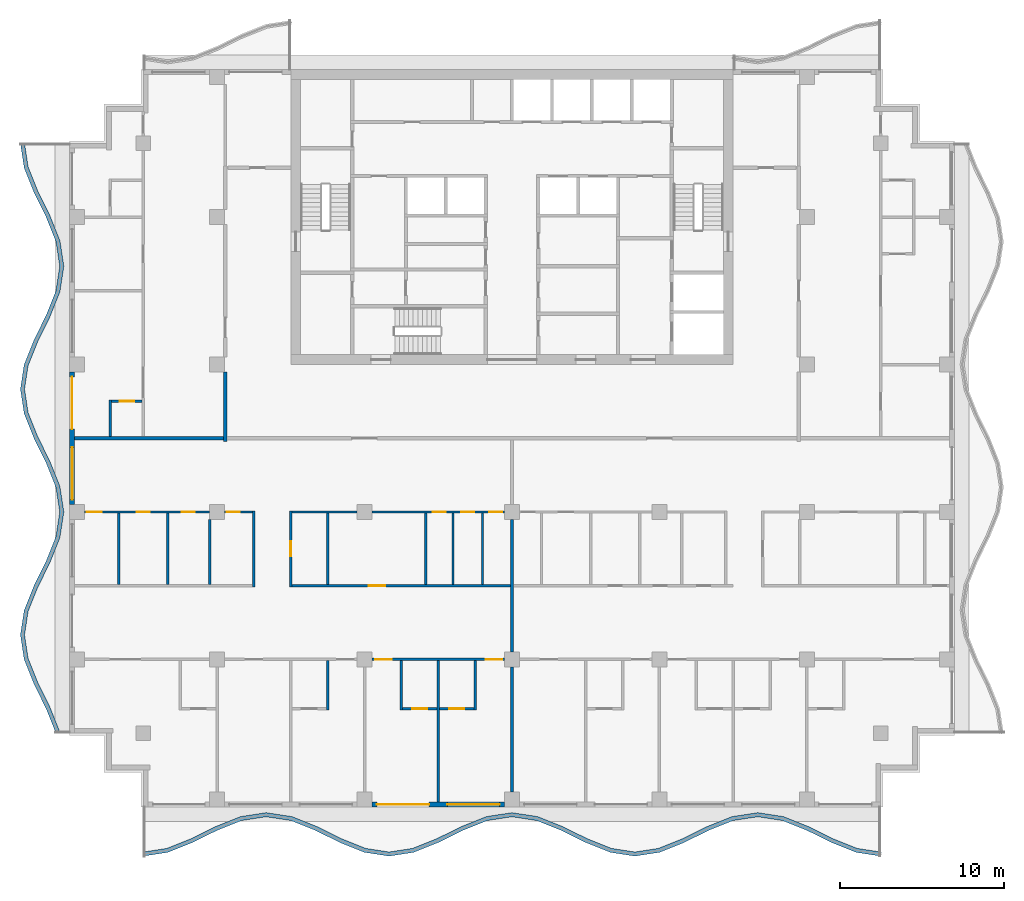
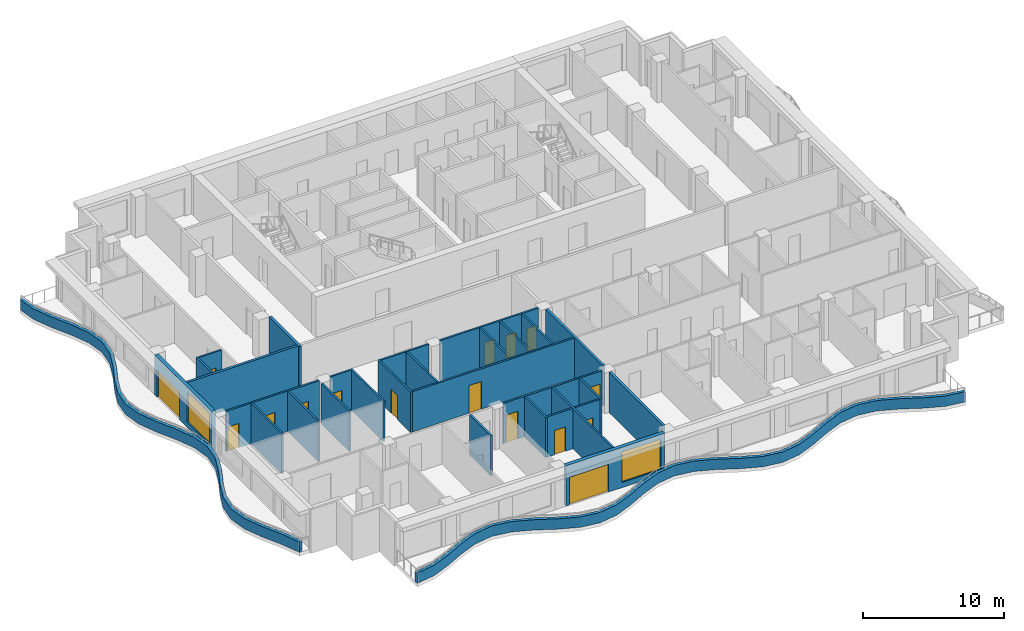
# One storey, part 2 of 11: 31 walls, 16 doors, 2 windows, 18 openings.
"""IFC4 building model written with IfcOpenShell, lengths in metres."""

from ifc_helpers import new_model, si_unit, direction, frame, frame_2d, origin, place, context, subcontext, project, spatial, polyline, rectangle, outline, extrude, material, layer, layer_set, type_object, element, fill, save


model = new_model("IFC4")

# Units and contexts
model_context = context("Model", 3, precision=1e-05, world=origin(), true_north=direction((0.0, 1.0)))
body_context = subcontext(model_context, "Body", "Model", "MODEL_VIEW")
ifc_project = project(units=[si_unit("LENGTHUNIT", "METRE"), si_unit("AREAUNIT", "SQUARE_METRE"), si_unit("VOLUMEUNIT", "CUBIC_METRE"), si_unit("PLANEANGLEUNIT", "RADIAN"), si_unit("MASSUNIT", "GRAM", prefix="KILO")], contexts=[model_context])

# Site, building, storey
site_placement = place(None, origin())
site = spatial("IfcSite", under=ifc_project, at=site_placement, CompositionType="ELEMENT")
building_placement = place(site_placement, origin())
building = spatial("IfcBuilding", under=site, at=building_placement, Name="Orbiselva Terraces", CompositionType="ELEMENT")
storey_placement = place(building_placement, frame((0.0, 0.0, 280.6)))
storey = spatial("IfcBuildingStorey", under=building, at=storey_placement, Name="L71", CompositionType="ELEMENT", Elevation=280.6)

# Walls
ifc_material_1 = material(Name="Concrete C40/50", Category="concrete")
ifc_layer_1 = layer(ifc_material_1, 0.25)
ifc_layer_set_1 = layer_set([ifc_layer_1], Name="Concrete C40/50")
wall_type_1 = type_object("IfcWallType", Name="ENV-PLANTER-250x900", PredefinedType="USERDEFINED", material=ifc_layer_set_1)
wall_1_placement = place(storey_placement, origin())
element("IfcWall", 1, at=wall_1_placement, inside=storey, type_object=wall_type_1, Name="Balcony planter L71 S", ObjectType="PLANTER", PredefinedType="USERDEFINED", context=body_context, shape_type="SweptSolid", body=[
    extrude(outline(polyline([(-22.5, -25.5), (-21.0, -25.27082), (-19.5, -24.67082), (-18.0, -23.92918), (-16.5, -23.32918), (-15.0, -23.1), (-13.5, -23.32918), (-12.0, -23.92918), (-10.5, -24.67082), (-9.0, -25.27082), (-7.5, -25.5), (-6.0, -25.27082), (-4.5, -24.67082), (-3.0, -23.92918), (-1.5, -23.32918), (0.0, -23.1), (1.5, -23.32918), (3.0, -23.92918), (4.5, -24.67082), (6.0, -25.27082), (7.5, -25.5), (9.0, -25.27082), (10.5, -24.67082), (12.0, -23.92918), (13.5, -23.32918), (15.0, -23.1), (16.5, -23.32918), (18.0, -23.92918), (19.5, -24.67082), (21.0, -25.27082), (22.5, -25.5), (22.537758, -25.252868), (21.066166, -25.028028), (19.601983, -24.442355), (18.101983, -23.700715), (16.566166, -23.086388), (15.0, -22.847099), (13.433834, -23.086388), (11.898017, -23.700715), (10.398017, -24.442355), (8.933834, -25.028028), (7.5, -25.247099), (6.066166, -25.028028), (4.601983, -24.442355), (3.101983, -23.700715), (1.566166, -23.086388), (0.0, -22.847099), (-1.566166, -23.086388), (-3.101983, -23.700715), (-4.601983, -24.442355), (-6.066166, -25.028028), (-7.5, -25.247099), (-8.933834, -25.028028), (-10.398017, -24.442355), (-11.898017, -23.700715), (-13.433834, -23.086388), (-15.0, -22.847099), (-16.566166, -23.086388), (-18.101983, -23.700715), (-19.601983, -24.442355), (-21.066166, -25.028028), (-22.537758, -25.252868), (-22.5, -25.5)])), origin(), (0.0, 0.0, 1.0), 0.9),
])
wall_2_placement = place(storey_placement, origin())
element("IfcWall", 2, at=wall_2_placement, inside=storey, type_object=wall_type_1, Name="Balcony planter L71 W", ObjectType="PLANTER", PredefinedType="USERDEFINED", context=body_context, shape_type="SweptSolid", body=[
    extrude(outline(polyline([(-30.0, 18.0), (-29.77082, 16.5), (-29.17082, 15.0), (-28.42918, 13.5), (-27.82918, 12.0), (-27.6, 10.5), (-27.82918, 9.0), (-28.42918, 7.5), (-29.17082, 6.0), (-29.77082, 4.5), (-30.0, 3.0), (-29.77082, 1.5), (-29.17082, 0.0), (-28.42918, -1.5), (-27.82918, -3.0), (-27.6, -4.5), (-27.82918, -6.0), (-28.42918, -7.5), (-29.17082, -9.0), (-29.77082, -10.5), (-30.0, -12.0), (-29.77082, -13.5), (-29.17082, -15.0), (-28.42918, -16.5), (-27.82918, -18.0), (-27.597061, -17.907152), (-28.200715, -16.398017), (-28.942355, -14.898017), (-29.528028, -13.433834), (-29.747099, -12.0), (-29.528028, -10.566166), (-28.942355, -9.101983), (-28.200715, -7.601983), (-27.586388, -6.066166), (-27.347099, -4.5), (-27.586388, -2.933834), (-28.200715, -1.398017), (-28.942355, 0.101983), (-29.528028, 1.566166), (-29.747099, 3.0), (-29.528028, 4.433834), (-28.942355, 5.898017), (-28.200715, 7.398017), (-27.586388, 8.933834), (-27.347099, 10.5), (-27.586388, 12.066166), (-28.200715, 13.601983), (-28.942355, 15.101983), (-29.528028, 16.566166), (-29.752868, 18.037758), (-30.0, 18.0)])), origin(), (0.0, 0.0, 1.0), 0.9),
])

# Wall, openings, door, window
ifc_material_2 = material(Name="Terracotta cladding on masonry backing", Category="masonry")
ifc_layer_2 = layer(ifc_material_2, 0.3)
ifc_layer_set_2 = layer_set([ifc_layer_2], Name="Terracotta cladding on masonry backing")
wall_type_2 = type_object("IfcWallType", Name="ENV-WALL-TERRACOTTA-300", PredefinedType="SOLIDWALL", material=ifc_layer_set_2)
wall_3_placement = place(storey_placement, frame((-0.45, -22.35, 0.0), z_axis=(0.0, 0.0, 1.0), x_axis=(-1.0, 0.0, 0.0)))
wall_3 = element("IfcWall", 3, at=wall_3_placement, inside=storey, type_object=wall_type_2, Name="Facade wall L71 S", PredefinedType="SOLIDWALL", context=body_context, shape_type="SweptSolid", body=[
    extrude(rectangle(XDim=8.1, YDim=0.3, at=frame_2d((4.05, 0.0))), origin(), (0.0, 0.0, 1.0), 3.5),
])
opening_1_placement = place(wall_3_placement, frame((4.6, 0.0, 0.0)))
opening_1 = element("IfcOpeningElement", 4, at=opening_1_placement, cuts=wall_3, Name="Opening Z5-D-E12", PredefinedType="OPENING", context=body_context, shape_type="SweptSolid", body=[
    extrude(rectangle(XDim=3.2, YDim=2.4, at=frame_2d((1.6, 1.2))), frame((0.0, 0.16, 0.0), z_axis=(0.0, -1.0, 0.0), x_axis=(1.0, 0.0, 0.0)), (0.0, 0.0, 1.0), 0.32),
])
opening_2_placement = place(wall_3_placement, frame((0.3, 0.0, 0.45)))
opening_2 = element("IfcOpeningElement", 5, at=opening_2_placement, cuts=wall_3, Name="Opening WN17", PredefinedType="OPENING", context=body_context, shape_type="SweptSolid", body=[
    extrude(rectangle(XDim=3.2, YDim=2.65, at=frame_2d((1.6, 1.325))), frame((0.0, 0.16, 0.0), z_axis=(0.0, -1.0, 0.0), x_axis=(1.0, 0.0, 0.0)), (0.0, 0.0, 1.0), 0.32),
])
ifc_material_3 = material(Name="Clear low-e glazing in aluminium frame", Category="aluminium")
door_type_1 = type_object("IfcDoorType", Name="BALCONY DOOR 3200 X 2400", OperationType="DOUBLE_DOOR_SLIDING", PredefinedType="DOOR", material=ifc_material_3)
door_1_placement = place(opening_1_placement, origin())
door_1 = element("IfcDoor", 6, at=door_1_placement, inside=storey, type_object=door_type_1, Name="Z5-D-E12", OperationType="SINGLE_SWING_LEFT", OverallHeight=2.4, OverallWidth=3.2, PredefinedType="DOOR", context=body_context, shape_type="SweptSolid", body=[
    extrude(rectangle(XDim=3.2, YDim=2.4, at=frame_2d((1.6, 1.2))), frame((0.0, 0.025, 0.0), z_axis=(0.0, -1.0, 0.0), x_axis=(1.0, 0.0, 0.0)), (0.0, 0.0, 1.0), 0.05),
])
fill(opening_1, door_1)
window_type = type_object("IfcWindowType", Name="WINDOW 3200 X 2650 S450", PartitioningType="TRIPLE_PANEL_VERTICAL", PredefinedType="WINDOW", material=ifc_material_3)
window_1_placement = place(opening_2_placement, origin())
window_1 = element("IfcWindow", 7, at=window_1_placement, inside=storey, type_object=window_type, Name="Window L71 S", OverallHeight=2.65, OverallWidth=3.2, PartitioningType="SINGLE_PANEL", PredefinedType="WINDOW", context=body_context, shape_type="SweptSolid", body=[
    extrude(rectangle(XDim=3.2, YDim=2.65, at=frame_2d((1.6, 1.325))), frame((0.0, 0.03, 0.0), z_axis=(0.0, -1.0, 0.0), x_axis=(1.0, 0.0, 0.0)), (0.0, 0.0, 1.0), 0.06),
])
fill(opening_2, window_1)

wall_4_placement = place(storey_placement, frame((-26.85, -4.05, 0.0), z_axis=(0.0, 0.0, 1.0), x_axis=(0.0, 1.0, 0.0)))
wall_4 = element("IfcWall", 8, at=wall_4_placement, inside=storey, type_object=wall_type_2, Name="Facade wall L71 W", PredefinedType="SOLIDWALL", context=body_context, shape_type="SweptSolid", body=[
    extrude(rectangle(XDim=8.1, YDim=0.3, at=frame_2d((4.05, 0.0))), origin(), (0.0, 0.0, 1.0), 3.5),
])
opening_3_placement = place(wall_4_placement, frame((4.6, 0.0, 0.0)))
opening_3 = element("IfcOpeningElement", 9, at=opening_3_placement, cuts=wall_4, Name="Opening Z5-D-E16", PredefinedType="OPENING", context=body_context, shape_type="SweptSolid", body=[
    extrude(rectangle(XDim=3.2, YDim=2.4, at=frame_2d((1.6, 1.2))), frame((0.0, 0.16, 0.0), z_axis=(0.0, -1.0, 0.0), x_axis=(1.0, 0.0, 0.0)), (0.0, 0.0, 1.0), 0.32),
])
opening_4_placement = place(wall_4_placement, frame((0.3, 0.0, 0.45)))
opening_4 = element("IfcOpeningElement", 10, at=opening_4_placement, cuts=wall_4, Name="Opening WN17", PredefinedType="OPENING", context=body_context, shape_type="SweptSolid", body=[
    extrude(rectangle(XDim=3.2, YDim=2.65, at=frame_2d((1.6, 1.325))), frame((0.0, 0.16, 0.0), z_axis=(0.0, -1.0, 0.0), x_axis=(1.0, 0.0, 0.0)), (0.0, 0.0, 1.0), 0.32),
])
door_2_placement = place(opening_3_placement, origin())
door_2 = element("IfcDoor", 11, at=door_2_placement, inside=storey, type_object=door_type_1, Name="Z5-D-E16", OperationType="SINGLE_SWING_LEFT", OverallHeight=2.4, OverallWidth=3.2, PredefinedType="DOOR", context=body_context, shape_type="SweptSolid", body=[
    extrude(rectangle(XDim=3.2, YDim=2.4, at=frame_2d((1.6, 1.2))), frame((0.0, 0.025, 0.0), z_axis=(0.0, -1.0, 0.0), x_axis=(1.0, 0.0, 0.0)), (0.0, 0.0, 1.0), 0.05),
])
fill(opening_3, door_2)
window_2_placement = place(opening_4_placement, origin())
window_2 = element("IfcWindow", 12, at=window_2_placement, inside=storey, type_object=window_type, Name="Window L71 W", OverallHeight=2.65, OverallWidth=3.2, PartitioningType="SINGLE_PANEL", PredefinedType="WINDOW", context=body_context, shape_type="SweptSolid", body=[
    extrude(rectangle(XDim=3.2, YDim=2.65, at=frame_2d((1.6, 1.325))), frame((0.0, 0.03, 0.0), z_axis=(0.0, -1.0, 0.0), x_axis=(1.0, 0.0, 0.0)), (0.0, 0.0, 1.0), 0.06),
])
fill(opening_4, window_2)

# Wall
ifc_material_4 = material(Name="Plasterboard on steel stud partition", Category="steel")
ifc_layer_3 = layer(ifc_material_4, 0.2)
ifc_layer_set_3 = layer_set([ifc_layer_3], Name="Plasterboard on steel stud partition")
wall_type_3 = type_object("IfcWallType", Name="UNIT-ENTRANCE-WALL-200", PredefinedType="PARTITIONING", material=ifc_layer_set_3)
wall_5_placement = place(storey_placement, frame((-17.5, -0.2, 0.0), z_axis=(0.0, 0.0, 1.0), x_axis=(0.0, 1.0, 0.0)))
element("IfcWall", 13, at=wall_5_placement, inside=storey, type_object=wall_type_3, Name="PARTITION L71-050", PredefinedType="PARTITIONING", context=body_context, shape_type="SweptSolid", body=[
    extrude(rectangle(XDim=4.25, YDim=0.2, at=frame_2d((2.125, 0.0))), origin(), (0.0, 0.0, 1.0), 3.5),
])

# Wall, opening, door
ifc_layer_4 = layer(ifc_material_4, 0.15)
ifc_layer_set_4 = layer_set([ifc_layer_4], Name="Plasterboard on steel stud partition")
wall_type_4 = type_object("IfcWallType", Name="UNIT-PARTITION-150", PredefinedType="PARTITIONING", material=ifc_layer_set_4)
wall_6_placement = place(storey_placement, frame((-6.675, -16.5, 0.0), z_axis=(0.0, 0.0, 1.0), x_axis=(1.0, 0.0, 0.0)))
wall_6 = element("IfcWall", 14, at=wall_6_placement, inside=storey, type_object=wall_type_4, Name="PARTITION L71-003", PredefinedType="PARTITIONING", context=body_context, shape_type="SweptSolid", body=[
    extrude(rectangle(XDim=2.1, YDim=0.15, at=frame_2d((1.05, 0.0))), origin(), (0.0, 0.0, 1.0), 3.5),
])
opening_5_placement = place(wall_6_placement, frame((0.6, 0.0, 0.0)))
opening_5 = element("IfcOpeningElement", 15, at=opening_5_placement, cuts=wall_6, Name="Opening Z5-D-28", PredefinedType="OPENING", context=body_context, shape_type="SweptSolid", body=[
    extrude(rectangle(XDim=0.9, YDim=2.1, at=frame_2d((0.45, 1.05))), frame((0.0, 0.085, 0.0), z_axis=(0.0, -1.0, 0.0), x_axis=(1.0, 0.0, 0.0)), (0.0, 0.0, 1.0), 0.17),
])
ifc_material_5 = material(Name="Painted timber door leaf", Category="wood")
door_type_2 = type_object("IfcDoorType", Name="BATH DOOR 900", OperationType="NOTDEFINED", PredefinedType="DOOR", material=ifc_material_5)
door_3_placement = place(opening_5_placement, origin())
door_3 = element("IfcDoor", 16, at=door_3_placement, inside=storey, type_object=door_type_2, Name="Z5-D-28", OperationType="SINGLE_SWING_LEFT", OverallHeight=2.1, OverallWidth=0.9, PredefinedType="DOOR", context=body_context, shape_type="SweptSolid", body=[
    extrude(rectangle(XDim=0.9, YDim=2.1, at=frame_2d((0.45, 1.05))), frame((0.0, 0.025, 0.0), z_axis=(0.0, -1.0, 0.0), x_axis=(1.0, 0.0, 0.0)), (0.0, 0.0, 1.0), 0.05),
])
fill(opening_5, door_3)

wall_7_placement = place(storey_placement, frame((-4.425, -16.5, 0.0), z_axis=(0.0, 0.0, 1.0), x_axis=(1.0, 0.0, 0.0)))
wall_7 = element("IfcWall", 17, at=wall_7_placement, inside=storey, type_object=wall_type_4, Name="PARTITION L71-004", PredefinedType="PARTITIONING", context=body_context, shape_type="SweptSolid", body=[
    extrude(rectangle(XDim=2.1, YDim=0.15, at=frame_2d((1.05, 0.0))), origin(), (0.0, 0.0, 1.0), 3.5),
])
opening_6_placement = place(wall_7_placement, frame((0.6, 0.0, 0.0)))
opening_6 = element("IfcOpeningElement", 18, at=opening_6_placement, cuts=wall_7, Name="Opening Z5-D-26", PredefinedType="OPENING", context=body_context, shape_type="SweptSolid", body=[
    extrude(rectangle(XDim=0.9, YDim=2.1, at=frame_2d((0.45, 1.05))), frame((0.0, 0.085, 0.0), z_axis=(0.0, -1.0, 0.0), x_axis=(1.0, 0.0, 0.0)), (0.0, 0.0, 1.0), 0.17),
])
door_4_placement = place(opening_6_placement, origin())
door_4 = element("IfcDoor", 19, at=door_4_placement, inside=storey, type_object=door_type_2, Name="Z5-D-26", OperationType="SINGLE_SWING_RIGHT", OverallHeight=2.1, OverallWidth=0.9, PredefinedType="DOOR", context=body_context, shape_type="SweptSolid", body=[
    extrude(rectangle(XDim=0.9, YDim=2.1, at=frame_2d((0.45, 1.05))), frame((0.0, 0.025, 0.0), z_axis=(0.0, -1.0, 0.0), x_axis=(1.0, 0.0, 0.0)), (0.0, 0.0, 1.0), 0.05),
])
fill(opening_6, door_4)

# Wall, openings, doors
wall_8_placement = place(storey_placement, frame((-0.45, -13.5, 0.0), z_axis=(0.0, 0.0, 1.0), x_axis=(-1.0, 0.0, 0.0)))
wall_8 = element("IfcWall", 20, at=wall_8_placement, inside=storey, type_object=wall_type_4, Name="PARTITION L71-011", PredefinedType="PARTITIONING", context=body_context, shape_type="SweptSolid", body=[
    extrude(rectangle(XDim=8.1, YDim=0.15, at=frame_2d((4.05, 0.0))), origin(), (0.0, 0.0, 1.0), 3.5),
])
opening_7_placement = place(wall_8_placement, frame((0.15, 0.0, 0.0)))
opening_7 = element("IfcOpeningElement", 21, at=opening_7_placement, cuts=wall_8, Name="Opening Z5-D-25", PredefinedType="OPENING", context=body_context, shape_type="SweptSolid", body=[
    extrude(rectangle(XDim=1.0, YDim=2.4, at=frame_2d((0.5, 1.2))), frame((0.0, 0.085, 0.0), z_axis=(0.0, -1.0, 0.0), x_axis=(1.0, 0.0, 0.0)), (0.0, 0.0, 1.0), 0.17),
])
opening_8_placement = place(wall_8_placement, frame((6.9, 0.0, 0.0)))
opening_8 = element("IfcOpeningElement", 22, at=opening_8_placement, cuts=wall_8, Name="Opening Z5-D-27", PredefinedType="OPENING", context=body_context, shape_type="SweptSolid", body=[
    extrude(rectangle(XDim=1.0, YDim=2.4, at=frame_2d((0.5, 1.2))), frame((0.0, 0.085, 0.0), z_axis=(0.0, -1.0, 0.0), x_axis=(1.0, 0.0, 0.0)), (0.0, 0.0, 1.0), 0.17),
])
door_type_3 = type_object("IfcDoorType", Name="ROOM DOOR 1000", OperationType="NOTDEFINED", PredefinedType="DOOR", material=ifc_material_5)
door_5_placement = place(opening_7_placement, origin())
door_5 = element("IfcDoor", 23, at=door_5_placement, inside=storey, type_object=door_type_3, Name="Z5-D-25", OperationType="SINGLE_SWING_LEFT", OverallHeight=2.4, OverallWidth=1.0, PredefinedType="DOOR", context=body_context, shape_type="SweptSolid", body=[
    extrude(rectangle(XDim=1.0, YDim=2.4, at=frame_2d((0.5, 1.2))), frame((0.0, 0.025, 0.0), z_axis=(0.0, -1.0, 0.0), x_axis=(1.0, 0.0, 0.0)), (0.0, 0.0, 1.0), 0.05),
])
fill(opening_7, door_5)
door_6_placement = place(opening_8_placement, origin())
door_6 = element("IfcDoor", 24, at=door_6_placement, inside=storey, type_object=door_type_3, Name="Z5-D-27", OperationType="SINGLE_SWING_RIGHT", OverallHeight=2.4, OverallWidth=1.0, PredefinedType="DOOR", context=body_context, shape_type="SweptSolid", body=[
    extrude(rectangle(XDim=1.0, YDim=2.4, at=frame_2d((0.5, 1.2))), frame((0.0, 0.025, 0.0), z_axis=(0.0, -1.0, 0.0), x_axis=(1.0, 0.0, 0.0)), (0.0, 0.0, 1.0), 0.05),
])
fill(opening_8, door_6)

# Wall, opening, door
wall_9_placement = place(storey_placement, frame((-13.425, -9.0, 0.0), z_axis=(0.0, 0.0, 1.0), x_axis=(1.0, 0.0, 0.0)))
wall_9 = element("IfcWall", 25, at=wall_9_placement, inside=storey, type_object=wall_type_4, Name="PARTITION L71-016", PredefinedType="PARTITIONING", context=body_context, shape_type="SweptSolid", body=[
    extrude(rectangle(XDim=13.325, YDim=0.15, at=frame_2d((6.6625, 0.0))), origin(), (0.0, 0.0, 1.0), 3.5),
])
opening_9_placement = place(wall_9_placement, frame((4.675, 0.0, 0.0)))
opening_9 = element("IfcOpeningElement", 26, at=opening_9_placement, cuts=wall_9, Name="Opening Z5-D-19", PredefinedType="OPENING", context=body_context, shape_type="SweptSolid", body=[
    extrude(rectangle(XDim=1.0, YDim=2.4, at=frame_2d((0.5, 1.2))), frame((0.0, 0.085, 0.0), z_axis=(0.0, -1.0, 0.0), x_axis=(1.0, 0.0, 0.0)), (0.0, 0.0, 1.0), 0.17),
])
door_7_placement = place(opening_9_placement, origin())
door_7 = element("IfcDoor", 27, at=door_7_placement, inside=storey, type_object=door_type_3, Name="Z5-D-19", OperationType="SINGLE_SWING_LEFT", OverallHeight=2.4, OverallWidth=1.0, PredefinedType="DOOR", context=body_context, shape_type="SweptSolid", body=[
    extrude(rectangle(XDim=1.0, YDim=2.4, at=frame_2d((0.5, 1.2))), frame((0.0, 0.025, 0.0), z_axis=(0.0, -1.0, 0.0), x_axis=(1.0, 0.0, 0.0)), (0.0, 0.0, 1.0), 0.05),
])
fill(opening_9, door_7)

# Wall, openings, doors
wall_10_placement = place(storey_placement, frame((-18.45, -4.5, 0.0), z_axis=(0.0, 0.0, 1.0), x_axis=(-1.0, 0.0, 0.0)))
wall_10 = element("IfcWall", 28, at=wall_10_placement, inside=storey, type_object=wall_type_4, Name="PARTITION L71-019", PredefinedType="PARTITIONING", context=body_context, shape_type="SweptSolid", body=[
    extrude(rectangle(XDim=7.65, YDim=0.15, at=frame_2d((3.825, 0.0))), origin(), (0.0, 0.0, 1.0), 3.5),
])
opening_10_placement = place(wall_10_placement, frame((0.9, 0.0, 0.0)))
opening_10 = element("IfcOpeningElement", 29, at=opening_10_placement, cuts=wall_10, Name="Opening Z5-D-22", PredefinedType="OPENING", context=body_context, shape_type="SweptSolid", body=[
    extrude(rectangle(XDim=0.8, YDim=2.0, at=frame_2d((0.4, 1.0))), frame((0.0, 0.085, 0.0), z_axis=(0.0, -1.0, 0.0), x_axis=(1.0, 0.0, 0.0)), (0.0, 0.0, 1.0), 0.17),
])
opening_11_placement = place(wall_10_placement, frame((3.65, 0.0, 0.0)))
opening_11 = element("IfcOpeningElement", 30, at=opening_11_placement, cuts=wall_10, Name="Opening Z5-D-23", PredefinedType="OPENING", context=body_context, shape_type="SweptSolid", body=[
    extrude(rectangle(XDim=0.8, YDim=2.0, at=frame_2d((0.4, 1.0))), frame((0.0, 0.085, 0.0), z_axis=(0.0, -1.0, 0.0), x_axis=(1.0, 0.0, 0.0)), (0.0, 0.0, 1.0), 0.17),
])
opening_12_placement = place(wall_10_placement, frame((6.6, 0.0, 0.0)))
opening_12 = element("IfcOpeningElement", 31, at=opening_12_placement, cuts=wall_10, Name="Opening Z5-D-24", PredefinedType="OPENING", context=body_context, shape_type="SweptSolid", body=[
    extrude(rectangle(XDim=0.9, YDim=2.1, at=frame_2d((0.45, 1.05))), frame((0.0, 0.085, 0.0), z_axis=(0.0, -1.0, 0.0), x_axis=(1.0, 0.0, 0.0)), (0.0, 0.0, 1.0), 0.17),
])
door_type_4 = type_object("IfcDoorType", Name="SERVICE DOOR 900", OperationType="NOTDEFINED", PredefinedType="DOOR", material=ifc_material_5)
door_8_placement = place(opening_12_placement, origin())
door_8 = element("IfcDoor", 32, at=door_8_placement, inside=storey, type_object=door_type_4, Name="Z5-D-24", OperationType="SINGLE_SWING_RIGHT", OverallHeight=2.1, OverallWidth=0.9, PredefinedType="DOOR", context=body_context, shape_type="SweptSolid", body=[
    extrude(rectangle(XDim=0.9, YDim=2.1, at=frame_2d((0.45, 1.05))), frame((0.0, 0.025, 0.0), z_axis=(0.0, -1.0, 0.0), x_axis=(1.0, 0.0, 0.0)), (0.0, 0.0, 1.0), 0.05),
])
fill(opening_12, door_8)
door_type_5 = type_object("IfcDoorType", Name="STORE DOOR 800", OperationType="NOTDEFINED", PredefinedType="DOOR", material=ifc_material_5)
door_9_placement = place(opening_10_placement, origin())
door_9 = element("IfcDoor", 33, at=door_9_placement, inside=storey, type_object=door_type_5, Name="Z5-D-22", OperationType="SINGLE_SWING_LEFT", OverallHeight=2.0, OverallWidth=0.8, PredefinedType="DOOR", context=body_context, shape_type="SweptSolid", body=[
    extrude(rectangle(XDim=0.8, YDim=2.0, at=frame_2d((0.4, 1.0))), frame((0.0, 0.025, 0.0), z_axis=(0.0, -1.0, 0.0), x_axis=(1.0, 0.0, 0.0)), (0.0, 0.0, 1.0), 0.05),
])
fill(opening_10, door_9)
door_10_placement = place(opening_11_placement, origin())
door_10 = element("IfcDoor", 34, at=door_10_placement, inside=storey, type_object=door_type_5, Name="Z5-D-23", OperationType="SINGLE_SWING_RIGHT", OverallHeight=2.0, OverallWidth=0.8, PredefinedType="DOOR", context=body_context, shape_type="SweptSolid", body=[
    extrude(rectangle(XDim=0.8, YDim=2.0, at=frame_2d((0.4, 1.0))), frame((0.0, 0.025, 0.0), z_axis=(0.0, -1.0, 0.0), x_axis=(1.0, 0.0, 0.0)), (0.0, 0.0, 1.0), 0.05),
])
fill(opening_11, door_10)

# Wall, opening, door
wall_11_placement = place(storey_placement, frame((-15.825, -4.5, 0.0), z_axis=(0.0, 0.0, 1.0), x_axis=(-1.0, 0.0, 0.0)))
wall_11 = element("IfcWall", 35, at=wall_11_placement, inside=storey, type_object=wall_type_4, Name="PARTITION L71-020", PredefinedType="PARTITIONING", context=body_context, shape_type="SweptSolid", body=[
    extrude(rectangle(XDim=1.725, YDim=0.15, at=frame_2d((0.8625, 0.0))), origin(), (0.0, 0.0, 1.0), 3.5),
])
opening_13_placement = place(wall_11_placement, frame((0.775, 0.0, 0.0)))
opening_13 = element("IfcOpeningElement", 36, at=opening_13_placement, cuts=wall_11, Name="Opening Z5-D-21", PredefinedType="OPENING", context=body_context, shape_type="SweptSolid", body=[
    extrude(rectangle(XDim=0.8, YDim=2.0, at=frame_2d((0.4, 1.0))), frame((0.0, 0.085, 0.0), z_axis=(0.0, -1.0, 0.0), x_axis=(1.0, 0.0, 0.0)), (0.0, 0.0, 1.0), 0.17),
])
door_11_placement = place(opening_13_placement, origin())
door_11 = element("IfcDoor", 37, at=door_11_placement, inside=storey, type_object=door_type_5, Name="Z5-D-21", OperationType="SINGLE_SWING_RIGHT", OverallHeight=2.0, OverallWidth=0.8, PredefinedType="DOOR", context=body_context, shape_type="SweptSolid", body=[
    extrude(rectangle(XDim=0.8, YDim=2.0, at=frame_2d((0.4, 1.0))), frame((0.0, 0.025, 0.0), z_axis=(0.0, -1.0, 0.0), x_axis=(1.0, 0.0, 0.0)), (0.0, 0.0, 1.0), 0.05),
])
fill(opening_13, door_11)

# Wall
wall_12_placement = place(storey_placement, frame((-13.425, -4.5, 0.0), z_axis=(0.0, 0.0, 1.0), x_axis=(1.0, 0.0, 0.0)))
element("IfcWall", 38, at=wall_12_placement, inside=storey, type_object=wall_type_4, Name="PARTITION L71-021", PredefinedType="PARTITIONING", context=body_context, shape_type="SweptSolid", body=[
    extrude(rectangle(XDim=3.975, YDim=0.15, at=frame_2d((1.9875, 0.0))), origin(), (0.0, 0.0, 1.0), 3.5),
])

# Wall, openings, doors
wall_13_placement = place(storey_placement, frame((-0.45, -4.5, 0.0), z_axis=(0.0, 0.0, 1.0), x_axis=(-1.0, 0.0, 0.0)))
wall_13 = element("IfcWall", 39, at=wall_13_placement, inside=storey, type_object=wall_type_4, Name="PARTITION L71-022", PredefinedType="PARTITIONING", context=body_context, shape_type="SweptSolid", body=[
    extrude(rectangle(XDim=8.1, YDim=0.15, at=frame_2d((4.05, 0.0))), origin(), (0.0, 0.0, 1.0), 3.5),
])
opening_14_placement = place(wall_13_placement, frame((0.15, 0.0, 0.0)))
opening_14 = element("IfcOpeningElement", 40, at=opening_14_placement, cuts=wall_13, Name="Opening Z5-D-16", PredefinedType="OPENING", context=body_context, shape_type="SweptSolid", body=[
    extrude(rectangle(XDim=0.8, YDim=2.0, at=frame_2d((0.4, 1.0))), frame((0.0, 0.085, 0.0), z_axis=(0.0, -1.0, 0.0), x_axis=(1.0, 0.0, 0.0)), (0.0, 0.0, 1.0), 0.17),
])
opening_15_placement = place(wall_13_placement, frame((1.85, 0.0, 0.0)))
opening_15 = element("IfcOpeningElement", 41, at=opening_15_placement, cuts=wall_13, Name="Opening Z5-D-17", PredefinedType="OPENING", context=body_context, shape_type="SweptSolid", body=[
    extrude(rectangle(XDim=0.8, YDim=2.0, at=frame_2d((0.4, 1.0))), frame((0.0, 0.085, 0.0), z_axis=(0.0, -1.0, 0.0), x_axis=(1.0, 0.0, 0.0)), (0.0, 0.0, 1.0), 0.17),
])
opening_16_placement = place(wall_13_placement, frame((3.6, 0.0, 0.0)))
opening_16 = element("IfcOpeningElement", 42, at=opening_16_placement, cuts=wall_13, Name="Opening Z5-D-18", PredefinedType="OPENING", context=body_context, shape_type="SweptSolid", body=[
    extrude(rectangle(XDim=0.8, YDim=2.0, at=frame_2d((0.4, 1.0))), frame((0.0, 0.085, 0.0), z_axis=(0.0, -1.0, 0.0), x_axis=(1.0, 0.0, 0.0)), (0.0, 0.0, 1.0), 0.17),
])
door_12_placement = place(opening_14_placement, origin())
door_12 = element("IfcDoor", 43, at=door_12_placement, inside=storey, type_object=door_type_5, Name="Z5-D-16", OperationType="SINGLE_SWING_LEFT", OverallHeight=2.0, OverallWidth=0.8, PredefinedType="DOOR", context=body_context, shape_type="SweptSolid", body=[
    extrude(rectangle(XDim=0.8, YDim=2.0, at=frame_2d((0.4, 1.0))), frame((0.0, 0.025, 0.0), z_axis=(0.0, -1.0, 0.0), x_axis=(1.0, 0.0, 0.0)), (0.0, 0.0, 1.0), 0.05),
])
fill(opening_14, door_12)
door_13_placement = place(opening_15_placement, origin())
door_13 = element("IfcDoor", 44, at=door_13_placement, inside=storey, type_object=door_type_5, Name="Z5-D-17", OperationType="SINGLE_SWING_LEFT", OverallHeight=2.0, OverallWidth=0.8, PredefinedType="DOOR", context=body_context, shape_type="SweptSolid", body=[
    extrude(rectangle(XDim=0.8, YDim=2.0, at=frame_2d((0.4, 1.0))), frame((0.0, 0.025, 0.0), z_axis=(0.0, -1.0, 0.0), x_axis=(1.0, 0.0, 0.0)), (0.0, 0.0, 1.0), 0.05),
])
fill(opening_15, door_13)
door_14_placement = place(opening_16_placement, origin())
door_14 = element("IfcDoor", 45, at=door_14_placement, inside=storey, type_object=door_type_5, Name="Z5-D-18", OperationType="SINGLE_SWING_LEFT", OverallHeight=2.0, OverallWidth=0.8, PredefinedType="DOOR", context=body_context, shape_type="SweptSolid", body=[
    extrude(rectangle(XDim=0.8, YDim=2.0, at=frame_2d((0.4, 1.0))), frame((0.0, 0.025, 0.0), z_axis=(0.0, -1.0, 0.0), x_axis=(1.0, 0.0, 0.0)), (0.0, 0.0, 1.0), 0.05),
])
fill(opening_16, door_14)

# Wall, opening, door
wall_14_placement = place(storey_placement, frame((-22.575, 2.25, 0.0), z_axis=(0.0, 0.0, 1.0), x_axis=(-1.0, 0.0, 0.0)))
wall_14 = element("IfcWall", 46, at=wall_14_placement, inside=storey, type_object=wall_type_4, Name="PARTITION L71-030", PredefinedType="PARTITIONING", context=body_context, shape_type="SweptSolid", body=[
    extrude(rectangle(XDim=1.875, YDim=0.15, at=frame_2d((0.9375, 0.0))), origin(), (0.0, 0.0, 1.0), 3.5),
])
opening_17_placement = place(wall_14_placement, frame((0.475, 0.0, 0.0)))
opening_17 = element("IfcOpeningElement", 47, at=opening_17_placement, cuts=wall_14, Name="Opening Z5-D-05", PredefinedType="OPENING", context=body_context, shape_type="SweptSolid", body=[
    extrude(rectangle(XDim=0.9, YDim=2.1, at=frame_2d((0.45, 1.05))), frame((0.0, 0.085, 0.0), z_axis=(0.0, -1.0, 0.0), x_axis=(1.0, 0.0, 0.0)), (0.0, 0.0, 1.0), 0.17),
])
door_15_placement = place(opening_17_placement, origin())
door_15 = element("IfcDoor", 48, at=door_15_placement, inside=storey, type_object=door_type_2, Name="Z5-D-05", OperationType="SINGLE_SWING_LEFT", OverallHeight=2.1, OverallWidth=0.9, PredefinedType="DOOR", context=body_context, shape_type="SweptSolid", body=[
    extrude(rectangle(XDim=0.9, YDim=2.1, at=frame_2d((0.45, 1.05))), frame((0.0, 0.025, 0.0), z_axis=(0.0, -1.0, 0.0), x_axis=(1.0, 0.0, 0.0)), (0.0, 0.0, 1.0), 0.05),
])
fill(opening_17, door_15)

# Walls
wall_15_placement = place(storey_placement, frame((-24.525, 0.1, 0.0), z_axis=(0.0, 0.0, 1.0), x_axis=(0.0, 1.0, 0.0)))
element("IfcWall", 49, at=wall_15_placement, inside=storey, type_object=wall_type_4, Name="PARTITION L71-041", PredefinedType="PARTITIONING", context=body_context, shape_type="SweptSolid", body=[
    extrude(rectangle(XDim=2.225, YDim=0.15, at=frame_2d((1.1125, 0.0))), origin(), (0.0, 0.0, 1.0), 3.5),
])
for number, where, z_axis, x_axis, name in (
    (50, (-24.0, -8.925, 0.0), (0.0, 0.0, 1.0), (0.0, 1.0, 0.0), "PARTITION L71-043"),
    (51, (-21.0, -8.925, 0.0), (0.0, 0.0, 1.0), (0.0, 1.0, 0.0), "PARTITION L71-046"),
):
    element("IfcWall", number, at=place(storey_placement, frame(where, z_axis=z_axis, x_axis=x_axis)), inside=storey, type_object=wall_type_4, Name=name, PredefinedType="PARTITIONING", context=body_context, shape_type="SweptSolid", body=[
        extrude(rectangle(XDim=4.35, YDim=0.15, at=frame_2d((2.175, 0.0))), origin(), (0.0, 0.0, 1.0), 3.5),
    ])
wall_16_placement = place(storey_placement, frame((-18.45, -8.925, 0.0), z_axis=(0.0, 0.0, 1.0), x_axis=(0.0, 1.0, 0.0)))
element("IfcWall", 52, at=wall_16_placement, inside=storey, type_object=wall_type_4, Name="PARTITION L71-048", PredefinedType="PARTITIONING", context=body_context, shape_type="SweptSolid", body=[
    extrude(rectangle(XDim=3.975, YDim=0.15, at=frame_2d((1.9875, 0.0))), origin(), (0.0, 0.0, 1.0), 3.5),
])
wall_17_placement = place(storey_placement, frame((-15.75, -9.075, 0.0), z_axis=(0.0, 0.0, 1.0), x_axis=(0.0, 1.0, 0.0)))
element("IfcWall", 53, at=wall_17_placement, inside=storey, type_object=wall_type_4, Name="PARTITION L71-054", PredefinedType="PARTITIONING", context=body_context, shape_type="SweptSolid", body=[
    extrude(rectangle(XDim=4.65, YDim=0.15, at=frame_2d((2.325, 0.0))), origin(), (0.0, 0.0, 1.0), 3.5),
])

# Wall, opening, door
wall_18_placement = place(storey_placement, frame((-13.5, -4.425, 0.0), z_axis=(0.0, 0.0, 1.0), x_axis=(0.0, -1.0, 0.0)))
wall_18 = element("IfcWall", 54, at=wall_18_placement, inside=storey, type_object=wall_type_4, Name="PARTITION L71-056", PredefinedType="PARTITIONING", context=body_context, shape_type="SweptSolid", body=[
    extrude(rectangle(XDim=4.65, YDim=0.15, at=frame_2d((2.325, 0.0))), origin(), (0.0, 0.0, 1.0), 3.5),
])
opening_18_placement = place(wall_18_placement, frame((1.875, 0.0, 0.0)))
opening_18 = element("IfcOpeningElement", 55, at=opening_18_placement, cuts=wall_18, Name="Opening Z5-D-20", PredefinedType="OPENING", context=body_context, shape_type="SweptSolid", body=[
    extrude(rectangle(XDim=0.9, YDim=2.1, at=frame_2d((0.45, 1.05))), frame((0.0, 0.085, 0.0), z_axis=(0.0, -1.0, 0.0), x_axis=(1.0, 0.0, 0.0)), (0.0, 0.0, 1.0), 0.17),
])
door_16_placement = place(opening_18_placement, origin())
door_16 = element("IfcDoor", 56, at=door_16_placement, inside=storey, type_object=door_type_2, Name="Z5-D-20", OperationType="SINGLE_SWING_RIGHT", OverallHeight=2.1, OverallWidth=0.9, PredefinedType="DOOR", context=body_context, shape_type="SweptSolid", body=[
    extrude(rectangle(XDim=0.9, YDim=2.1, at=frame_2d((0.45, 1.05))), frame((0.0, 0.025, 0.0), z_axis=(0.0, -1.0, 0.0), x_axis=(1.0, 0.0, 0.0)), (0.0, 0.0, 1.0), 0.05),
])
fill(opening_18, door_16)

# Walls
wall_19_placement = place(storey_placement, frame((-11.25, -16.575, 0.0), z_axis=(0.0, 0.0, 1.0), x_axis=(0.0, 1.0, 0.0)))
element("IfcWall", 57, at=wall_19_placement, inside=storey, type_object=wall_type_4, Name="PARTITION L71-057", PredefinedType="PARTITIONING", context=body_context, shape_type="SweptSolid", body=[
    extrude(rectangle(XDim=3.0, YDim=0.15, at=frame_2d((1.5, 0.0))), origin(), (0.0, 0.0, 1.0), 3.5),
])
wall_20_placement = place(storey_placement, frame((-11.25, -8.925, 0.0), z_axis=(0.0, 0.0, 1.0), x_axis=(0.0, 1.0, 0.0)))
element("IfcWall", 58, at=wall_20_placement, inside=storey, type_object=wall_type_4, Name="PARTITION L71-058", PredefinedType="PARTITIONING", context=body_context, shape_type="SweptSolid", body=[
    extrude(rectangle(XDim=4.35, YDim=0.15, at=frame_2d((2.175, 0.0))), origin(), (0.0, 0.0, 1.0), 3.5),
])
wall_21_placement = place(storey_placement, frame((-6.75, -16.575, 0.0), z_axis=(0.0, 0.0, 1.0), x_axis=(0.0, 1.0, 0.0)))
element("IfcWall", 59, at=wall_21_placement, inside=storey, type_object=wall_type_4, Name="PARTITION L71-060", PredefinedType="PARTITIONING", context=body_context, shape_type="SweptSolid", body=[
    extrude(rectangle(XDim=3.0, YDim=0.15, at=frame_2d((1.5, 0.0))), origin(), (0.0, 0.0, 1.0), 3.5),
])
wall_22_placement = place(storey_placement, frame((-5.25, -8.925, 0.0), z_axis=(0.0, 0.0, 1.0), x_axis=(0.0, 1.0, 0.0)))
element("IfcWall", 60, at=wall_22_placement, inside=storey, type_object=wall_type_4, Name="PARTITION L71-061", PredefinedType="PARTITIONING", context=body_context, shape_type="SweptSolid", body=[
    extrude(rectangle(XDim=4.35, YDim=0.15, at=frame_2d((2.175, 0.0))), origin(), (0.0, 0.0, 1.0), 3.5),
])
wall_23_placement = place(storey_placement, frame((-4.5, -22.2, 0.0), z_axis=(0.0, 0.0, 1.0), x_axis=(0.0, 1.0, 0.0)))
element("IfcWall", 61, at=wall_23_placement, inside=storey, type_object=wall_type_4, Name="PARTITION L71-062", PredefinedType="PARTITIONING", context=body_context, shape_type="SweptSolid", body=[
    extrude(rectangle(XDim=8.625, YDim=0.15, at=frame_2d((4.3125, 0.0))), origin(), (0.0, 0.0, 1.0), 3.5),
])
wall_24_placement = place(storey_placement, frame((-3.6, -8.925, 0.0), z_axis=(0.0, 0.0, 1.0), x_axis=(0.0, 1.0, 0.0)))
element("IfcWall", 62, at=wall_24_placement, inside=storey, type_object=wall_type_4, Name="PARTITION L71-063", PredefinedType="PARTITIONING", context=body_context, shape_type="SweptSolid", body=[
    extrude(rectangle(XDim=4.35, YDim=0.15, at=frame_2d((2.175, 0.0))), origin(), (0.0, 0.0, 1.0), 3.5),
])
wall_25_placement = place(storey_placement, frame((-2.25, -16.575, 0.0), z_axis=(0.0, 0.0, 1.0), x_axis=(0.0, 1.0, 0.0)))
element("IfcWall", 63, at=wall_25_placement, inside=storey, type_object=wall_type_4, Name="PARTITION L71-064", PredefinedType="PARTITIONING", context=body_context, shape_type="SweptSolid", body=[
    extrude(rectangle(XDim=3.0, YDim=0.15, at=frame_2d((1.5, 0.0))), origin(), (0.0, 0.0, 1.0), 3.5),
])
wall_26_placement = place(storey_placement, frame((-1.8, -8.925, 0.0), z_axis=(0.0, 0.0, 1.0), x_axis=(0.0, 1.0, 0.0)))
element("IfcWall", 64, at=wall_26_placement, inside=storey, type_object=wall_type_4, Name="PARTITION L71-065", PredefinedType="PARTITIONING", context=body_context, shape_type="SweptSolid", body=[
    extrude(rectangle(XDim=4.35, YDim=0.15, at=frame_2d((2.175, 0.0))), origin(), (0.0, 0.0, 1.0), 3.5),
])
ifc_layer_5 = layer(ifc_material_4, 0.2)
ifc_layer_set_5 = layer_set([ifc_layer_5], Name="Plasterboard on steel stud partition")
wall_type_5 = type_object("IfcWallType", Name="UNIT-PARTY-WALL-200", PredefinedType="PARTITIONING", material=ifc_layer_set_5)
wall_27_placement = place(storey_placement, frame((-26.7, 0.0, 0.0), z_axis=(0.0, 0.0, 1.0), x_axis=(1.0, 0.0, 0.0)))
element("IfcWall", 65, at=wall_27_placement, inside=storey, type_object=wall_type_5, Name="PARTITION L71-028", PredefinedType="PARTITIONING", context=body_context, shape_type="SweptSolid", body=[
    extrude(rectangle(XDim=9.1, YDim=0.2, at=frame_2d((4.55, 0.0))), origin(), (0.0, 0.0, 1.0), 3.5),
])
wall_28_placement = place(storey_placement, frame((0.0, -21.6, 0.0), z_axis=(0.0, 0.0, 1.0), x_axis=(0.0, 1.0, 0.0)))
element("IfcWall", 66, at=wall_28_placement, inside=storey, type_object=wall_type_5, Name="PARTITION L71-066", PredefinedType="PARTITIONING", context=body_context, shape_type="SweptSolid", body=[
    extrude(rectangle(XDim=7.65, YDim=0.2, at=frame_2d((3.825, 0.0))), origin(), (0.0, 0.0, 1.0), 3.5),
])
wall_29_placement = place(storey_placement, frame((0.0, -13.05, 0.0), z_axis=(0.0, 0.0, 1.0), x_axis=(0.0, 1.0, 0.0)))
element("IfcWall", 67, at=wall_29_placement, inside=storey, type_object=wall_type_5, Name="PARTITION L71-067", PredefinedType="PARTITIONING", context=body_context, shape_type="SweptSolid", body=[
    extrude(rectangle(XDim=8.1, YDim=0.2, at=frame_2d((4.05, 0.0))), origin(), (0.0, 0.0, 1.0), 3.5),
])

save(model, "model.ifc")
